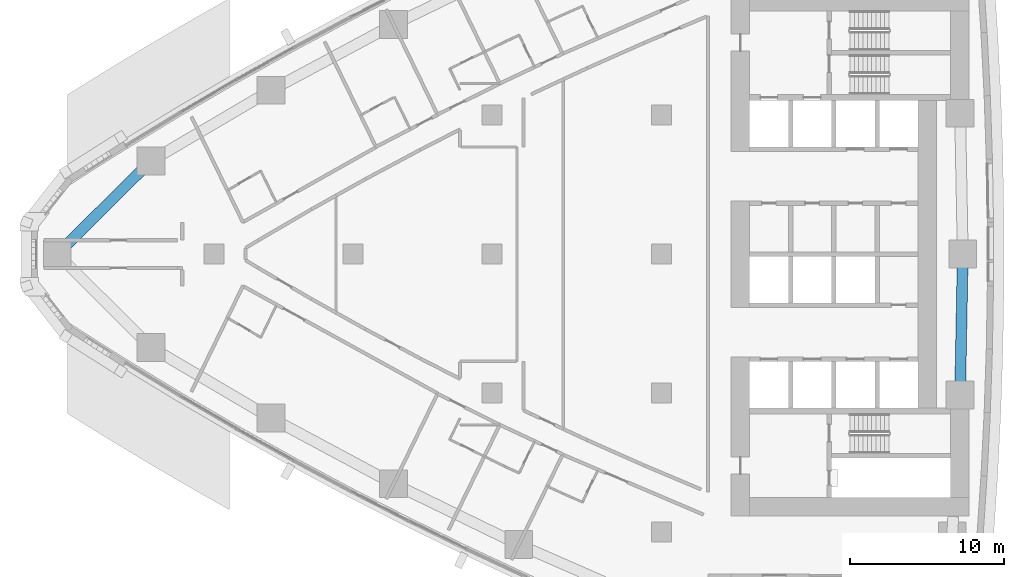
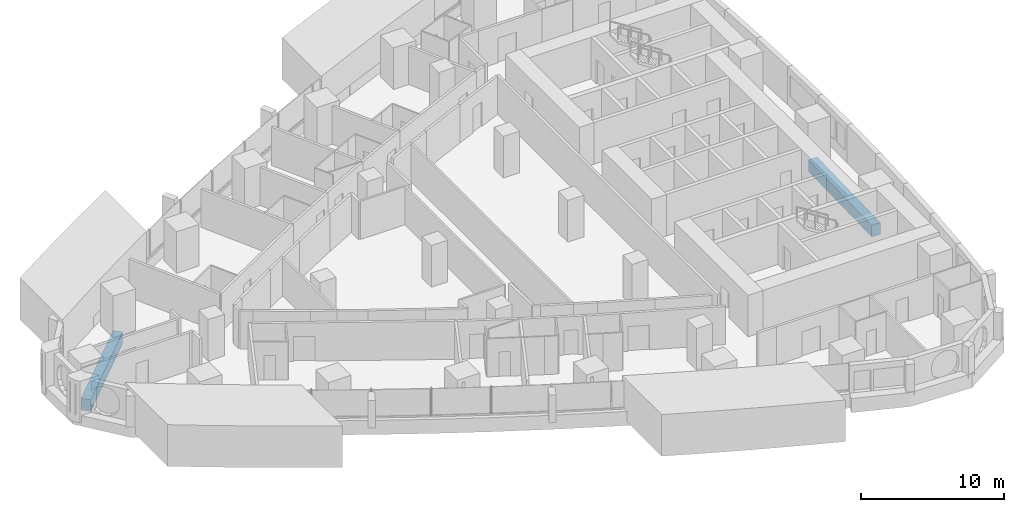
# One storey, part 4 of 19: 2 beams.
"""IFC4 building model written with IfcOpenShell, lengths in metres."""

from ifc_helpers import new_model, si_unit, direction, frame, origin, origin_2d, place, context, subcontext, project, spatial, rectangle, extrude, material, material_profile, profile_set, type_object, element, save


model = new_model("IFC4")

# Units and contexts
model_context = context("Model", 3, precision=1e-05, world=origin(), true_north=direction((0.0, 1.0)))
body_context = subcontext(model_context, "Body", "Model", "MODEL_VIEW")
ifc_project = project(units=[si_unit("LENGTHUNIT", "METRE"), si_unit("AREAUNIT", "SQUARE_METRE"), si_unit("VOLUMEUNIT", "CUBIC_METRE"), si_unit("PLANEANGLEUNIT", "RADIAN"), si_unit("MASSUNIT", "GRAM", prefix="KILO")], contexts=[model_context])

# Site, building, storey
site_placement = place(None, origin())
site = spatial("IfcSite", under=ifc_project, at=site_placement, CompositionType="ELEMENT")
building_placement = place(site_placement, origin())
building = spatial("IfcBuilding", under=site, at=building_placement, Name="Ostrand Prow Hotel Tower", CompositionType="ELEMENT")
storey_placement = place(building_placement, frame((0.0, 0.0, 39.60009765625)))
storey = spatial("IfcBuildingStorey", under=building, at=storey_placement, Name="L07", CompositionType="ELEMENT", Elevation=39.60009765625)

# Beams
ifc_material = material(Name="Concrete C80/95", Category="concrete")
ifc_material_profile = material_profile(ifc_material, rectangle(XDim=0.699951171875, YDim=1.0, at=origin_2d()), Name="RC 700x1000")
ifc_profile_set = profile_set([ifc_material_profile], Name="Concrete C80/95")
beam_type = type_object("IfcBeamType", Name="Edge beam 700x1000 C80/95", PredefinedType="SPANDREL", material=ifc_profile_set)
beam_1_placement = place(storey_placement, frame((64.328369140625, -9.130859375, -0.800048828125), z_axis=(0.018793471688, 0.999823387115, 0.0), x_axis=(-0.999823387115, 0.018793471688, 0.0)))
element("IfcBeam", 1, at=beam_1_placement, inside=storey, type_object=beam_type, Name="Edge beam B2-B3", PredefinedType="SPANDREL", context=body_context, shape_type="SweptSolid", body=[
    extrude(rectangle(XDim=0.699951171875, YDim=1.0, at=origin_2d()), origin(), (0.0, 0.0, 1.0), 9.132568359375),
])
beam_2_placement = place(storey_placement, frame((11.926513671875, 6.0419921875, -0.800048828125), z_axis=(-0.709211674915, -0.70499560294, 0.0), x_axis=(0.70499560294, -0.709211674915, 0.0)))
element("IfcBeam", 2, at=beam_2_placement, inside=storey, type_object=beam_type, Name="Edge beam N6-P", PredefinedType="SPANDREL", context=body_context, shape_type="SweptSolid", body=[
    extrude(rectangle(XDim=0.699951171875, YDim=1.0, at=origin_2d()), origin(), (0.0, 0.0, 1.0), 8.5703125),
])

save(model, "model.ifc")
